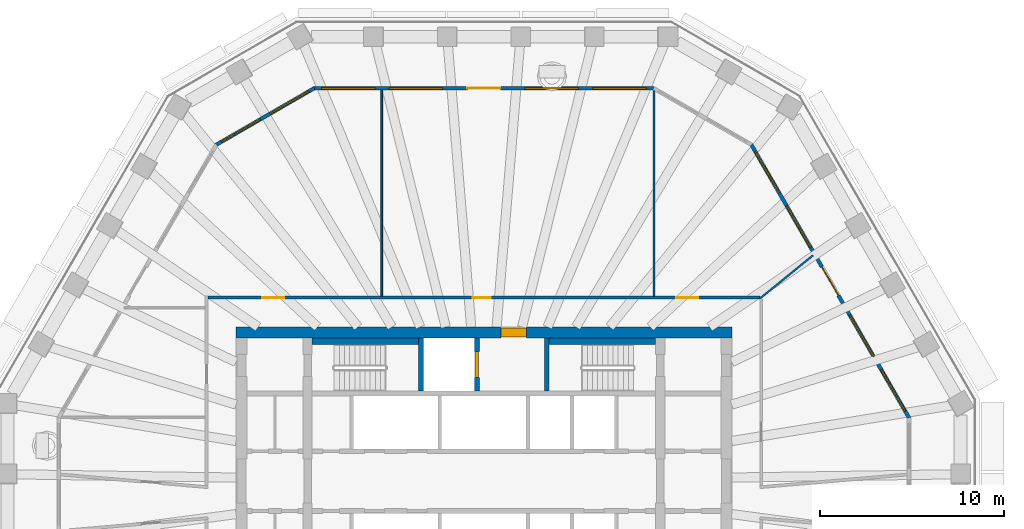
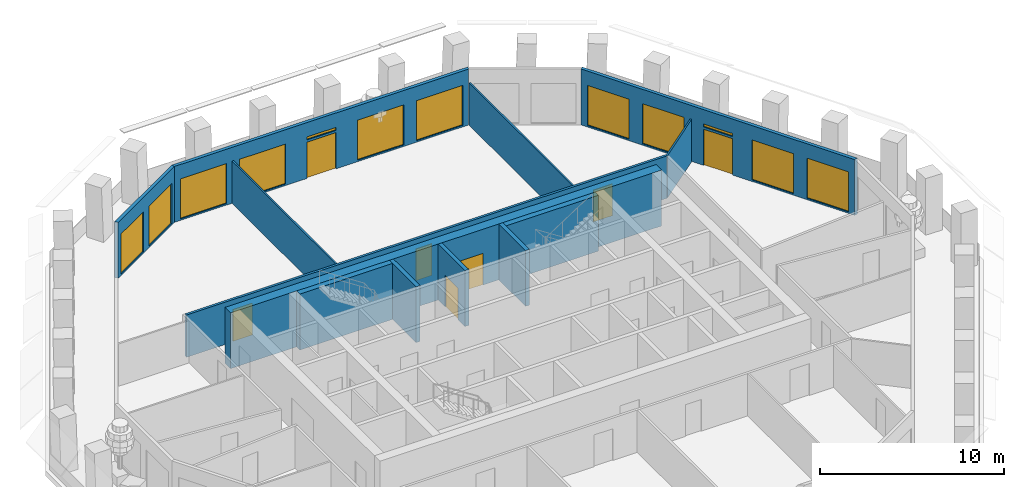
# One storey, part 7 of 12: 13 walls, 12 windows, 7 doors, 19 openings.
"""IFC4 building model written with IfcOpenShell, lengths in metres."""

import ifcopenshell
import ifcopenshell.guid

model = None  # the IFC model being written
_history = None  # IfcOwnerHistory: only IFC2X3 demands one
_inside = {}  # id of a spatial element -> (the spatial element, [elements in it])
_under = {}  # id of a project, library or spatial element -> (it, [spatial elements below it])
_declared = {}  # id of a project -> (the project, [libraries it declares])
_typed = {}  # id of a type object -> (the type object, [elements of that type])
_made_of = {}  # id of a material, layer set ... -> (it, [elements and type objects made of it])


def new_model(schema):
    """Start an empty IFC model of exactly this schema.

    Asked for "IFC4X3", IfcOpenShell would pick the latest addendum, in which some entities
    have other attributes; the version numbers below select the first issue.
    IFC2X3 requires an IfcOwnerHistory on every rooted entity: one is made here for all.
    """
    global model, _history
    if schema == "IFC4X3":
        model = ifcopenshell.file(schema_version=(4, 3, 0, 0))
    else:
        model = ifcopenshell.file(schema=schema)
    _inside.clear()
    _under.clear()
    _declared.clear()
    _typed.clear()
    _made_of.clear()
    _history = None
    if model.schema == "IFC2X3":
        org = make("IfcOrganization", Name="unknown")
        user = make(
            "IfcPersonAndOrganization",
            ThePerson=make("IfcPerson", FamilyName="unknown"),
            TheOrganization=org,
        )
        app = make(
            "IfcApplication",
            ApplicationDeveloper=org,
            Version="unknown",
            ApplicationFullName="unknown",
            ApplicationIdentifier="unknown",
        )
        _history = make(
            "IfcOwnerHistory",
            OwningUser=user,
            OwningApplication=app,
            ChangeAction="ADDED",
            CreationDate=0,
        )
    return model


def make(cls, **values):
    """One entity of the class cls with the attributes given. An attribute that is None is left unset."""
    return model.create_entity(
        cls, **{name: value for name, value in values.items() if value is not None}
    )


def rooted(cls, **values):
    """An entity with a GlobalId (a new one), such as an element, a storey or a relation."""
    return make(cls, GlobalId=ifcopenshell.guid.new(), OwnerHistory=_history, **values)


def si_unit(unit_type, name, prefix=None):
    """IfcSIUnit, for example si_unit("LENGTHUNIT", "METRE", prefix="MILLI")."""
    return make("IfcSIUnit", UnitType=unit_type, Prefix=prefix, Name=name)


def assignment(units):
    """IfcUnitAssignment: the units of a project."""
    return None if units is None else make("IfcUnitAssignment", Units=units)


def point(xyz):
    """IfcCartesianPoint."""
    return None if xyz is None else make("IfcCartesianPoint", Coordinates=xyz)


def direction(xyz):
    """IfcDirection."""
    return None if xyz is None else make("IfcDirection", DirectionRatios=xyz)


def frame(location, z_axis=None, x_axis=None):
    """IfcAxis2Placement3D, a coordinate frame: its origin and axes. An axis left out is left unset."""
    return make(
        "IfcAxis2Placement3D",
        Location=point(location),
        Axis=direction(z_axis),
        RefDirection=direction(x_axis),
    )


def frame_2d(location, x_axis=None):
    """IfcAxis2Placement2D, a coordinate frame in the plane: its origin and x axis."""
    return make(
        "IfcAxis2Placement2D", Location=point(location), RefDirection=direction(x_axis)
    )


def origin():
    """The frame at (0, 0, 0) with its axes left unset."""
    return frame((0.0, 0.0, 0.0))


def place(relative_to, where):
    """IfcLocalPlacement: puts the frame where relative to a parent placement (None: the world)."""
    return make(
        "IfcLocalPlacement", PlacementRelTo=relative_to, RelativePlacement=where
    )


def context(
    kind, dimensions, precision=None, world=None, true_north=None, identifier=None
):
    """IfcGeometricRepresentationContext, for example the 3D "Model" context."""
    return make(
        "IfcGeometricRepresentationContext",
        ContextIdentifier=identifier,
        ContextType=kind,
        CoordinateSpaceDimension=dimensions,
        Precision=precision,
        WorldCoordinateSystem=world,
        TrueNorth=true_north,
    )


def subcontext(parent, identifier, kind, view, scale=None):
    """IfcGeometricRepresentationSubContext, for example "Body" below "Model"."""
    return make(
        "IfcGeometricRepresentationSubContext",
        ContextIdentifier=identifier,
        ContextType=kind,
        ParentContext=parent,
        TargetScale=scale,
        TargetView=view,
    )


def project(units=None, contexts=None):
    """IfcProject with its units and contexts."""
    return rooted(
        "IfcProject",
        Name="project",
        RepresentationContexts=contexts,
        UnitsInContext=assignment(units),
    )


def spatial(cls, under=None, at=None, **own):
    """A site, building, storey or space (cls), placed at a placement, below another one or the project."""
    s = rooted(cls, ObjectPlacement=at, **own)
    if under is not None:
        _under.setdefault(under.id(), (under, []))[1].append(s)
    return s


def polyline(points):
    """IfcPolyline through the points."""
    return make("IfcPolyline", Points=[point(p) for p in points])


def profile(cls, at=None, kind="AREA", **sizes):
    """A parametric profile (cls). Its sizes go by their IFC names, for example OverallWidth=200.0."""
    return make(cls, ProfileType=kind, Position=at, **sizes)


def rectangle(**sizes):
    """IfcRectangleProfileDef."""
    return profile("IfcRectangleProfileDef", **sizes)


def outline(outer, holes=None, kind="AREA"):
    """IfcArbitraryClosedProfileDef: a profile drawn as a closed curve; with holes, ...WithVoids."""
    if holes is None:
        return make("IfcArbitraryClosedProfileDef", ProfileType=kind, OuterCurve=outer)
    return make(
        "IfcArbitraryProfileDefWithVoids",
        ProfileType=kind,
        OuterCurve=outer,
        InnerCurves=holes,
    )


def extrude(swept, where, along, depth):
    """IfcExtrudedAreaSolid: the profile swept, set in the frame where, extruded along a direction by depth."""
    return make(
        "IfcExtrudedAreaSolid",
        SweptArea=swept,
        Position=where,
        ExtrudedDirection=direction(along),
        Depth=depth,
    )


def shape(context_of_items, identifier, shape_type, items):
    """IfcShapeRepresentation: the items that make up one representation, for example the "Body"."""
    return make(
        "IfcShapeRepresentation",
        ContextOfItems=context_of_items,
        RepresentationIdentifier=identifier,
        RepresentationType=shape_type,
        Items=items,
    )


def material(Name=None, Category=None):
    """IfcMaterial."""
    return make("IfcMaterial", Name=Name, Category=Category)


def layer(
    of_material, thickness, ventilated=None, Name=None, Category=None, Priority=None
):
    """IfcMaterialLayer: one layer of a wall or slab, of a material (None: an air gap)."""
    return make(
        "IfcMaterialLayer",
        Material=of_material,
        LayerThickness=thickness,
        IsVentilated=ventilated,
        Name=Name,
        Category=Category,
        Priority=Priority,
    )


def layer_set(layers, Name=None):
    """IfcMaterialLayerSet."""
    return make("IfcMaterialLayerSet", MaterialLayers=layers, LayerSetName=Name)


def made_of(thing, what):
    """Note that an element or type object is made of a material, layer set ...; save() writes the relation."""
    if what is not None:
        _made_of.setdefault(what.id(), (what, []))[1].append(thing)
    return thing


def type_object(cls, material=None, **own):
    """A type object (cls), such as IfcWallType, which elements share."""
    return made_of(rooted(cls, **own), material)


def element(
    cls,
    number,
    at=None,
    inside=None,
    cuts=None,
    type_object=None,
    material=None,
    context=None,
    identifier="Body",
    shape_type=None,
    held_by="IfcProductDefinitionShape",
    body=None,
    shapes=None,
    **own,
):
    """One element of the class cls, such as IfcWall. Its Tag is "e" and its number.

    at: its placement. inside: the storey or other place that contains it. cuts: it is an
    opening in that element (IfcRelVoidsElement). A single representation is given by context,
    identifier, shape_type and body (its items); several are given by shapes. held_by: the class
    of the entity that holds the representations. save() writes the other relations.
    """
    e = rooted(cls, Tag="e%d" % number, ObjectPlacement=at, **own)
    if body is not None:
        shapes = [shape(context, identifier, shape_type, body)]
    if shapes is not None:
        e.Representation = make(held_by, Representations=shapes)
    if inside is not None:
        _inside.setdefault(inside.id(), (inside, []))[1].append(e)
    if cuts is not None:
        rooted(
            "IfcRelVoidsElement", RelatingBuildingElement=cuts, RelatedOpeningElement=e
        )
    if type_object is not None:
        _typed.setdefault(type_object.id(), (type_object, []))[1].append(e)
    return made_of(e, material)


def fill(opening, filler):
    """IfcRelFillsElement: the door or window that sits in an opening."""
    return rooted(
        "IfcRelFillsElement",
        RelatingOpeningElement=opening,
        RelatedBuildingElement=filler,
    )


def aggregate(whole, parts):
    """IfcRelAggregates: a whole, such as a stair, and the parts it consists of."""
    return rooted("IfcRelAggregates", RelatingObject=whole, RelatedObjects=parts)


def save(model, path):
    """Write the relations noted so far, then the file.

    IfcRelAggregates (storeys below a building ...), IfcRelContainedInSpatialStructure (elements
    in a storey), IfcRelDefinesByType, IfcRelAssociatesMaterial and IfcRelDeclares: one each for
    every whole, place, type object, material and project.
    """
    for whole, parts in _under.values():
        aggregate(whole, parts)
    for where, things in _inside.values():
        rooted(
            "IfcRelContainedInSpatialStructure",
            RelatedElements=things,
            RelatingStructure=where,
        )
    for kind, things in _typed.values():
        rooted("IfcRelDefinesByType", RelatedObjects=things, RelatingType=kind)
    for what, things in _made_of.values():
        rooted("IfcRelAssociatesMaterial", RelatedObjects=things, RelatingMaterial=what)
    for by, libraries in _declared.values():
        rooted("IfcRelDeclares", RelatingContext=by, RelatedDefinitions=libraries)
    model.write(path)


model = new_model("IFC4")

# Units and contexts
model_context = context("Model", 3, precision=1e-05, world=origin(), true_north=direction((0.0, 1.0)))
body_context = subcontext(model_context, "Body", "Model", "MODEL_VIEW")
ifc_project = project(units=[si_unit("LENGTHUNIT", "METRE"), si_unit("AREAUNIT", "SQUARE_METRE"), si_unit("VOLUMEUNIT", "CUBIC_METRE"), si_unit("PLANEANGLEUNIT", "RADIAN"), si_unit("MASSUNIT", "GRAM", prefix="KILO")], contexts=[model_context])

# Site, building, storey
site_placement = place(None, origin())
site = spatial("IfcSite", under=ifc_project, at=site_placement, CompositionType="ELEMENT")
building_placement = place(site_placement, origin())
building = spatial("IfcBuilding", under=site, at=building_placement, Name="Frailejon Research Tower", CompositionType="ELEMENT")
storey_placement = place(building_placement, frame((0.0, 0.0, 223.39990234375)))
storey = spatial("IfcBuildingStorey", under=building, at=storey_placement, Name="L48", CompositionType="ELEMENT", Elevation=223.39990234375)

# Wall, opening, door
ifc_material_1 = material(Name="Concrete C60/75", Category="concrete")
ifc_layer_1 = layer(ifc_material_1, 0.60009765625)
ifc_layer_set_1 = layer_set([ifc_layer_1], Name="Core shear wall 600 C60/75")
wall_type_1 = type_object("IfcWallType", Name="Core shear wall 600 C60/75", PredefinedType="SHEAR", material=ifc_layer_set_1)
wall_1_placement = place(storey_placement, frame((-13.5, 8.10009765625, 0.0), z_axis=(0.0, 0.0, 1.0), x_axis=(1.0, 0.0, 0.0)))
wall_1 = element("IfcWall", 1, at=wall_1_placement, inside=storey, type_object=wall_type_1, Name="Core shear wall", PredefinedType="SHEAR", context=body_context, shape_type="SweptSolid", body=[
    extrude(rectangle(XDim=27.0, YDim=0.60009765625, at=frame_2d((13.5, 0.0))), origin(), (0.0, 0.0, 1.0), 3.7001953125),
])
opening_1_placement = place(wall_1_placement, frame((14.425048828125, 0.0, 0.0)))
opening_1 = element("IfcOpeningElement", 2, at=opening_1_placement, cuts=wall_1, Name="Opening D9", PredefinedType="OPENING", context=body_context, shape_type="SweptSolid", body=[
    extrude(rectangle(XDim=1.39990234375, YDim=2.10009765625, at=frame_2d((0.699951171875, 1.050048828125))), frame((0.0, 0.31005859375, 0.0), z_axis=(0.0, -1.0, 0.0), x_axis=(1.0, 0.0, 0.0)), (0.0, 0.0, 1.0), 0.6201171875),
])
ifc_material_2 = material(Name="Steel", Category="steel")
door_type_1 = type_object("IfcDoorType", Name="Goods lobby door", OperationType="DOUBLE_DOOR_SINGLE_SWING", PredefinedType="DOOR", material=ifc_material_2)
door_1_placement = place(opening_1_placement, origin())
door_1 = element("IfcDoor", 3, at=door_1_placement, inside=storey, type_object=door_type_1, Name="Goods lobby door", OperationType="DOUBLE_DOOR_SINGLE_SWING", OverallHeight=2.10009765625, OverallWidth=1.39990234375, PredefinedType="DOOR", context=body_context, shape_type="SweptSolid", body=[
    extrude(rectangle(XDim=1.39990234375, YDim=2.10009765625, at=frame_2d((0.699951171875, 1.050048828125))), frame((0.0, 0.25, 0.0), z_axis=(0.0, -1.0, 0.0), x_axis=(1.0, 0.0, 0.0)), (0.0, 0.0, 1.0), 0.5),
])
fill(opening_1, door_1)

# Wall, openings, doors
ifc_material_3 = material(Name="Gypsum board and masonry partition", Category="masonry")
ifc_layer_2 = layer(ifc_material_3, 0.14990234375)
ifc_layer_set_2 = layer_set([ifc_layer_2], Name="Corridor wall EI 60, gypsum on steel studs 150")
wall_type_2 = type_object("IfcWallType", Name="Corridor wall EI 60, gypsum on steel studs 150", PredefinedType="PARTITIONING", material=ifc_layer_set_2)
wall_2_placement = place(storey_placement, frame((-15.02490234375, 10.0, 0.0), z_axis=(0.0, 0.0, 1.0), x_axis=(1.0, 0.0, 0.0)))
wall_2 = element("IfcWall", 4, at=wall_2_placement, inside=storey, type_object=wall_type_2, Name="T:IW:L48:003", PredefinedType="PARTITIONING", context=body_context, shape_type="SweptSolid", body=[
    extrude(rectangle(XDim=30.074951171875, YDim=0.14990234375, at=frame_2d((15.03759765625, 0.0))), origin(), (0.0, 0.0, 1.0), 2.800048828125),
])
opening_2_placement = place(wall_2_placement, frame((25.5087890625, 0.0, 0.0)))
opening_2 = element("IfcOpeningElement", 5, at=opening_2_placement, cuts=wall_2, Name="Opening D1977", PredefinedType="OPENING", context=body_context, shape_type="SweptSolid", body=[
    extrude(rectangle(XDim=1.199951171875, YDim=2.10009765625, at=frame_2d((0.60009765625, 1.050048828125))), frame((0.0, 0.0849609375, 0.0), z_axis=(0.0, -1.0, 0.0), x_axis=(1.0, 0.0, 0.0)), (0.0, 0.0, 1.0), 0.169921875),
])
opening_3_placement = place(wall_2_placement, frame((14.409423828125, 0.0, 0.0)))
opening_3 = element("IfcOpeningElement", 6, at=opening_3_placement, cuts=wall_2, Name="Opening D1978", PredefinedType="OPENING", context=body_context, shape_type="SweptSolid", body=[
    extrude(rectangle(XDim=1.0, YDim=2.10009765625, at=frame_2d((0.5, 1.050048828125))), frame((0.0, 0.0849609375, 0.0), z_axis=(0.0, -1.0, 0.0), x_axis=(1.0, 0.0, 0.0)), (0.0, 0.0, 1.0), 0.169921875),
])
opening_4_placement = place(wall_2_placement, frame((2.94921875, 0.0, 0.0)))
opening_4 = element("IfcOpeningElement", 7, at=opening_4_placement, cuts=wall_2, Name="Opening D1979", PredefinedType="OPENING", context=body_context, shape_type="SweptSolid", body=[
    extrude(rectangle(XDim=1.199951171875, YDim=2.10009765625, at=frame_2d((0.60009765625, 1.050048828125))), frame((0.0, 0.0849609375, 0.0), z_axis=(0.0, -1.0, 0.0), x_axis=(1.0, 0.0, 0.0)), (0.0, 0.0, 1.0), 0.169921875),
])
ifc_material_4 = material(Name="Timber door leaf", Category="wood")
door_type_2 = type_object("IfcDoorType", Name="Door single leaf, timber, steel frame 1000", OperationType="NOTDEFINED", PredefinedType="DOOR", material=ifc_material_4)
door_2_placement = place(opening_3_placement, origin())
door_2 = element("IfcDoor", 8, at=door_2_placement, inside=storey, type_object=door_type_2, Name="D1978", OperationType="SINGLE_SWING_LEFT", OverallHeight=2.10009765625, OverallWidth=1.0, PredefinedType="DOOR", context=body_context, shape_type="SweptSolid", body=[
    extrude(rectangle(XDim=1.0, YDim=2.10009765625, at=frame_2d((0.5, 1.050048828125))), frame((0.0, 0.02490234375, 0.0), z_axis=(0.0, -1.0, 0.0), x_axis=(1.0, 0.0, 0.0)), (0.0, 0.0, 1.0), 0.050048828125),
])
fill(opening_3, door_2)
ifc_material_5 = material(Name="Timber door leaf", Category="wood")
door_type_3 = type_object("IfcDoorType", Name="Door single leaf, timber, steel frame 1200", OperationType="NOTDEFINED", PredefinedType="DOOR", material=ifc_material_5)
door_3_placement = place(opening_2_placement, origin())
door_3 = element("IfcDoor", 9, at=door_3_placement, inside=storey, type_object=door_type_3, Name="D1977", OperationType="DOUBLE_DOOR_SINGLE_SWING", OverallHeight=2.10009765625, OverallWidth=1.199951171875, PredefinedType="DOOR", context=body_context, shape_type="SweptSolid", body=[
    extrude(rectangle(XDim=1.199951171875, YDim=2.10009765625, at=frame_2d((0.60009765625, 1.050048828125))), frame((0.0, 0.02490234375, 0.0), z_axis=(0.0, -1.0, 0.0), x_axis=(1.0, 0.0, 0.0)), (0.0, 0.0, 1.0), 0.050048828125),
])
fill(opening_2, door_3)
door_4_placement = place(opening_4_placement, origin())
door_4 = element("IfcDoor", 10, at=door_4_placement, inside=storey, type_object=door_type_3, Name="D1979", OperationType="DOUBLE_DOOR_SINGLE_SWING", OverallHeight=2.10009765625, OverallWidth=1.199951171875, PredefinedType="DOOR", context=body_context, shape_type="SweptSolid", body=[
    extrude(rectangle(XDim=1.199951171875, YDim=2.10009765625, at=frame_2d((0.60009765625, 1.050048828125))), frame((0.0, 0.02490234375, 0.0), z_axis=(0.0, -1.0, 0.0), x_axis=(1.0, 0.0, 0.0)), (0.0, 0.0, 1.0), 0.050048828125),
])
fill(opening_4, door_4)

# Walls
ifc_material_6 = material(Name="Gypsum board and masonry partition", Category="masonry")
ifc_layer_3 = layer(ifc_material_6, 0.10009765625)
ifc_layer_set_3 = layer_set([ifc_layer_3], Name="Partition, gypsum on steel studs 100")
wall_type_3 = type_object("IfcWallType", Name="Partition, gypsum on steel studs 100", PredefinedType="PARTITIONING", material=ifc_layer_set_3)
wall_3_placement = place(storey_placement, frame((15.041748046875, 9.95263671875, 0.0), z_axis=(0.0, 0.0, 1.0), x_axis=(0.775489545391, 0.631360408158, 0.0)))
element("IfcWall", 11, at=wall_3_placement, inside=storey, type_object=wall_type_3, Name="T:IW:L48:013", PredefinedType="PARTITIONING", context=body_context, shape_type="SweptSolid", body=[
    extrude(rectangle(XDim=3.721435546875, YDim=0.10009765625, at=frame_2d((1.86083984375, 0.0))), origin(), (0.0, 0.0, 1.0), 2.800048828125),
])
wall_4_placement = place(storey_placement, frame((9.26513671875, 10.074951171875, 0.0), z_axis=(0.0, 0.0, 1.0), x_axis=(0.0, 1.0, 0.0)))
element("IfcWall", 12, at=wall_4_placement, inside=storey, type_object=wall_type_3, Name="T:IW:L48:014", PredefinedType="PARTITIONING", context=body_context, shape_type="SweptSolid", body=[
    extrude(rectangle(XDim=11.194091796875, YDim=0.10009765625, at=frame_2d((5.59716796875, 0.0))), origin(), (0.0, 0.0, 1.0), 2.800048828125),
])
wall_5_placement = place(storey_placement, frame((-5.55908203125, 10.074951171875, 0.0), z_axis=(0.0, 0.0, 1.0), x_axis=(0.0, 1.0, 0.0)))
element("IfcWall", 13, at=wall_5_placement, inside=storey, type_object=wall_type_3, Name="T:IW:L48:015", PredefinedType="PARTITIONING", context=body_context, shape_type="SweptSolid", body=[
    extrude(rectangle(XDim=11.22509765625, YDim=0.10009765625, at=frame_2d((5.612548828125, 0.0))), origin(), (0.0, 0.0, 1.0), 2.800048828125),
])
ifc_material_7 = material(Name="Concrete C60/75", Category="concrete")
ifc_layer_4 = layer(ifc_material_7, 0.25)
ifc_layer_set_4 = layer_set([ifc_layer_4], Name="Shaft wall 250 C60/75")
wall_type_4 = type_object("IfcWallType", Name="Shaft wall 250 C60/75", PredefinedType="SOLIDWALL", material=ifc_layer_set_4)
wall_6_placement = place(storey_placement, frame((-3.425048828125, 4.89990234375, 0.0), z_axis=(0.0, 0.0, 1.0), x_axis=(0.0, 1.0, 0.0)))
element("IfcWall", 14, at=wall_6_placement, inside=storey, type_object=wall_type_4, Name="Shaft wall", PredefinedType="SOLIDWALL", context=body_context, shape_type="SweptSolid", body=[
    extrude(rectangle(XDim=2.900146484375, YDim=0.25, at=frame_2d((1.4501953125, 0.0))), origin(), (0.0, 0.0, 1.0), 3.7001953125),
])

# Wall, opening, door
wall_7_placement = place(storey_placement, frame((-0.375, 4.89990234375, 0.0), z_axis=(0.0, 0.0, 1.0), x_axis=(0.0, 1.0, 0.0)))
wall_7 = element("IfcWall", 15, at=wall_7_placement, inside=storey, type_object=wall_type_4, Name="Shaft wall", PredefinedType="SOLIDWALL", context=body_context, shape_type="SweptSolid", body=[
    extrude(rectangle(XDim=2.900146484375, YDim=0.25, at=frame_2d((1.4501953125, 0.0))), origin(), (0.0, 0.0, 1.0), 3.7001953125),
])
opening_5_placement = place(wall_7_placement, frame((0.75, 0.0, 0.0)))
opening_5 = element("IfcOpeningElement", 16, at=opening_5_placement, cuts=wall_7, Name="Opening LD2", PredefinedType="OPENING", context=body_context, shape_type="SweptSolid", body=[
    extrude(rectangle(XDim=1.39990234375, YDim=2.10009765625, at=frame_2d((0.699951171875, 1.050048828125))), frame((0.0, 0.135009765625, 0.0), z_axis=(0.0, -1.0, 0.0), x_axis=(1.0, 0.0, 0.0)), (0.0, 0.0, 1.0), 0.27001953125),
])
ifc_material_8 = material(Name="Stainless steel", Category="steel")
door_type_4 = type_object("IfcDoorType", Name="Goods landing door", OperationType="DOUBLE_DOOR_SLIDING", PredefinedType="DOOR", material=ifc_material_8)
door_5_placement = place(opening_5_placement, origin())
door_5 = element("IfcDoor", 17, at=door_5_placement, inside=storey, type_object=door_type_4, Name="Lift landing door", OperationType="DOUBLE_DOOR_SLIDING", OverallHeight=2.10009765625, OverallWidth=1.39990234375, PredefinedType="DOOR", context=body_context, shape_type="SweptSolid", body=[
    extrude(rectangle(XDim=1.39990234375, YDim=2.10009765625, at=frame_2d((0.699951171875, 1.050048828125))), frame((0.0, 0.074951171875, 0.0), z_axis=(0.0, -1.0, 0.0), x_axis=(1.0, 0.0, 0.0)), (0.0, 0.0, 1.0), 0.14990234375),
])
fill(opening_5, door_5)

# Walls
wall_8_placement = place(storey_placement, frame((3.425048828125, 4.89990234375, 0.0), z_axis=(0.0, 0.0, 1.0), x_axis=(0.0, 1.0, 0.0)))
element("IfcWall", 18, at=wall_8_placement, inside=storey, type_object=wall_type_4, Name="Shaft wall", PredefinedType="SOLIDWALL", context=body_context, shape_type="SweptSolid", body=[
    extrude(rectangle(XDim=2.900146484375, YDim=0.25, at=frame_2d((1.4501953125, 0.0))), origin(), (0.0, 0.0, 1.0), 3.7001953125),
])
ifc_material_9 = material(Name="Concrete C60/75", Category="concrete")
ifc_layer_5 = layer(ifc_material_9, 0.35009765625)
ifc_layer_set_5 = layer_set([ifc_layer_5], Name="Shaft wall 350 C60/75")
wall_type_5 = type_object("IfcWallType", Name="Shaft wall 350 C60/75", PredefinedType="SOLIDWALL", material=ifc_layer_set_5)
for number, where, z_axis, x_axis, name in (
    (19, (-9.35009765625, 7.625, 0.0), (0.0, 0.0, 1.0), (1.0, 0.0, 0.0), "Shaft wall"),
    (20, (3.550048828125, 7.625, 0.0), (0.0, 0.0, 1.0), (1.0, 0.0, 0.0), "Shaft wall"),
):
    element("IfcWall", number, at=place(storey_placement, frame(where, z_axis=z_axis, x_axis=x_axis)), inside=storey, type_object=wall_type_5, Name=name, PredefinedType="SOLIDWALL", context=body_context, shape_type="SweptSolid", body=[
        extrude(rectangle(XDim=5.800048828125, YDim=0.35009765625, at=frame_2d((2.89990234375, 0.0))), origin(), (0.0, 0.0, 1.0), 3.7001953125),
    ])

# Wall, openings, door, windows
ifc_material_10 = material(Name="Concrete C40/50 precast window wall panel", Category="concrete")
ifc_layer_6 = layer(ifc_material_10, 0.199951171875)
ifc_layer_set_6 = layer_set([ifc_layer_6], Name="Window wall 200")
wall_type_6 = type_object("IfcWallType", Name="Window wall 200", PredefinedType="SOLIDWALL", material=ifc_layer_set_6)
wall_9_placement = place(storey_placement, frame((23.152099609375, 3.45361328125, 0.0), z_axis=(0.0, 0.0, 1.0), x_axis=(-0.5000034888, 0.866023389516, 0.0)))
wall_9 = element("IfcWall", 21, at=wall_9_placement, inside=storey, type_object=wall_type_6, Name="Exterior wall L48", PredefinedType="SOLIDWALL", context=body_context, shape_type="SweptSolid", body=[
    extrude(outline(polyline([(-0.02685546875, -0.10009765625), (0.986328125, -0.10009765625), (1.99951171875, -0.10009765625), (3.0126953125, -0.10009765625), (4.02587890625, -0.10009765625), (5.0390625, -0.10009765625), (6.05224609375, -0.10009765625), (7.0654296875, -0.10009765625), (8.07861328125, -0.10009765625), (9.091796875, -0.10009765625), (10.10498046875, -0.10009765625), (11.1181640625, -0.10009765625), (12.13134765625, -0.10009765625), (13.14453125, -0.10009765625), (14.15771484375, -0.10009765625), (15.1708984375, -0.10009765625), (16.18408203125, -0.10009765625), (17.197265625, -0.10009765625), (17.1435546875, 0.10009765625), (16.13671875, 0.10009765625), (15.1298828125, 0.10009765625), (14.123046875, 0.10009765625), (13.1162109375, 0.10009765625), (12.109130859375, 0.10009765625), (11.102294921875, 0.10009765625), (10.095458984375, 0.10009765625), (9.088623046875, 0.10009765625), (8.081787109375, 0.10009765625), (7.074951171875, 0.10009765625), (6.068115234375, 0.10009765625), (5.061279296875, 0.10009765625), (4.05419921875, 0.10009765625), (3.04736328125, 0.10009765625), (2.04052734375, 0.10009765625), (1.03369140625, 0.10009765625), (0.02685546875, 0.10009765625), (-0.02685546875, -0.10009765625)])), origin(), (0.0, 0.0, 1.0), 3.7001953125),
])
opening_6_placement = place(wall_9_placement, frame((0.4169921875, 0.0, 0.10009765625)))
opening_6 = element("IfcOpeningElement", 22, at=opening_6_placement, cuts=wall_9, Name="Opening W18", PredefinedType="OPENING", context=body_context, shape_type="SweptSolid", body=[
    extrude(rectangle(XDim=2.60009765625, YDim=2.64990234375, at=frame_2d((1.300048828125, 1.324951171875))), frame((0.0, 0.10986328125, 0.0), z_axis=(0.0, -1.0, 0.0), x_axis=(1.0, 0.0, 0.0)), (0.0, 0.0, 1.0), 0.219970703125),
])
opening_7_placement = place(wall_9_placement, frame((3.85107421875, 0.0, 0.10009765625)))
opening_7 = element("IfcOpeningElement", 23, at=opening_7_placement, cuts=wall_9, Name="Opening W18", PredefinedType="OPENING", context=body_context, shape_type="SweptSolid", body=[
    extrude(rectangle(XDim=2.60009765625, YDim=2.64990234375, at=frame_2d((1.300048828125, 1.324951171875))), frame((0.0, 0.10986328125, 0.0), z_axis=(0.0, -1.0, 0.0), x_axis=(1.0, 0.0, 0.0)), (0.0, 0.0, 1.0), 0.219970703125),
])
opening_8_placement = place(wall_9_placement, frame((7.685302734375, 0.0, 0.0)))
opening_8 = element("IfcOpeningElement", 24, at=opening_8_placement, cuts=wall_9, Name="Opening LG48-1", PredefinedType="OPENING", context=body_context, shape_type="SweptSolid", body=[
    extrude(rectangle(XDim=1.800048828125, YDim=2.39990234375, at=frame_2d((0.89990234375, 1.199951171875))), frame((0.0, 0.10986328125, 0.0), z_axis=(0.0, -1.0, 0.0), x_axis=(1.0, 0.0, 0.0)), (0.0, 0.0, 1.0), 0.219970703125),
])
opening_9_placement = place(wall_9_placement, frame((7.685302734375, 0.0, 2.550048828125)))
opening_9 = element("IfcOpeningElement", 25, at=opening_9_placement, cuts=wall_9, Name="Opening W19", PredefinedType="OPENING", context=body_context, shape_type="SweptSolid", body=[
    extrude(rectangle(XDim=1.800048828125, YDim=0.199951171875, at=frame_2d((0.89990234375, 0.10009765625))), frame((0.0, 0.10986328125, 0.0), z_axis=(0.0, -1.0, 0.0), x_axis=(1.0, 0.0, 0.0)), (0.0, 0.0, 1.0), 0.219970703125),
])
opening_10_placement = place(wall_9_placement, frame((10.71923828125, 0.0, 0.10009765625)))
opening_10 = element("IfcOpeningElement", 26, at=opening_10_placement, cuts=wall_9, Name="Opening W18", PredefinedType="OPENING", context=body_context, shape_type="SweptSolid", body=[
    extrude(rectangle(XDim=2.60009765625, YDim=2.64990234375, at=frame_2d((1.300048828125, 1.324951171875))), frame((0.0, 0.10986328125, 0.0), z_axis=(0.0, -1.0, 0.0), x_axis=(1.0, 0.0, 0.0)), (0.0, 0.0, 1.0), 0.219970703125),
])
opening_11_placement = place(wall_9_placement, frame((14.1533203125, 0.0, 0.10009765625)))
opening_11 = element("IfcOpeningElement", 27, at=opening_11_placement, cuts=wall_9, Name="Opening W18", PredefinedType="OPENING", context=body_context, shape_type="SweptSolid", body=[
    extrude(rectangle(XDim=2.60009765625, YDim=2.64990234375, at=frame_2d((1.300048828125, 1.324951171875))), frame((0.0, 0.10986328125, 0.0), z_axis=(0.0, -1.0, 0.0), x_axis=(1.0, 0.0, 0.0)), (0.0, 0.0, 1.0), 0.219970703125),
])
ifc_material_11 = material(Name="Aluminium framed glazed door leaf", Category="aluminium")
door_type_5 = type_object("IfcDoorType", Name="Loggia door 1800x2400", OperationType="DOUBLE_DOOR_SINGLE_SWING", PredefinedType="DOOR", material=ifc_material_11)
door_6_placement = place(opening_8_placement, origin())
door_6 = element("IfcDoor", 28, at=door_6_placement, inside=storey, type_object=door_type_5, Name="Door LG48-1", OperationType="DOUBLE_DOOR_SINGLE_SWING", OverallHeight=2.39990234375, OverallWidth=1.800048828125, PredefinedType="DOOR", context=body_context, shape_type="SweptSolid", body=[
    extrude(rectangle(XDim=1.800048828125, YDim=2.39990234375, at=frame_2d((0.89990234375, 1.199951171875))), frame((0.0, 0.02490234375, 0.0), z_axis=(0.0, -1.0, 0.0), x_axis=(1.0, 0.0, 0.0)), (0.0, 0.0, 1.0), 0.050048828125),
])
fill(opening_8, door_6)
ifc_material_12 = material(Name="Aluminium framed double glazing", Category="aluminium")
window_type_1 = type_object("IfcWindowType", Name="Window 1800x200", PartitioningType="SINGLE_PANEL", PredefinedType="WINDOW", material=ifc_material_12)
window_1_placement = place(opening_9_placement, origin())
window_1 = element("IfcWindow", 29, at=window_1_placement, inside=storey, type_object=window_type_1, Name="Window L48", OverallHeight=0.199951171875, OverallWidth=1.800048828125, PartitioningType="SINGLE_PANEL", PredefinedType="WINDOW", context=body_context, shape_type="SweptSolid", body=[
    extrude(rectangle(XDim=1.800048828125, YDim=0.199951171875, at=frame_2d((0.89990234375, 0.10009765625))), frame((0.0, 0.030029296875, 0.0), z_axis=(0.0, -1.0, 0.0), x_axis=(1.0, 0.0, 0.0)), (0.0, 0.0, 1.0), 0.06005859375),
])
fill(opening_9, window_1)
ifc_material_13 = material(Name="Aluminium framed double glazing", Category="aluminium")
window_type_2 = type_object("IfcWindowType", Name="Window 2600x2650", PartitioningType="SINGLE_PANEL", PredefinedType="WINDOW", material=ifc_material_13)
window_2_placement = place(opening_6_placement, origin())
window_2 = element("IfcWindow", 30, at=window_2_placement, inside=storey, type_object=window_type_2, Name="Window L48", OverallHeight=2.64990234375, OverallWidth=2.60009765625, PartitioningType="SINGLE_PANEL", PredefinedType="WINDOW", context=body_context, shape_type="SweptSolid", body=[
    extrude(rectangle(XDim=2.60009765625, YDim=2.64990234375, at=frame_2d((1.300048828125, 1.324951171875))), frame((0.0, 0.030029296875, 0.0), z_axis=(0.0, -1.0, 0.0), x_axis=(1.0, 0.0, 0.0)), (0.0, 0.0, 1.0), 0.06005859375),
])
fill(opening_6, window_2)
window_3_placement = place(opening_7_placement, origin())
window_3 = element("IfcWindow", 31, at=window_3_placement, inside=storey, type_object=window_type_2, Name="Window L48", OverallHeight=2.64990234375, OverallWidth=2.60009765625, PartitioningType="SINGLE_PANEL", PredefinedType="WINDOW", context=body_context, shape_type="SweptSolid", body=[
    extrude(rectangle(XDim=2.60009765625, YDim=2.64990234375, at=frame_2d((1.300048828125, 1.324951171875))), frame((0.0, 0.030029296875, 0.0), z_axis=(0.0, -1.0, 0.0), x_axis=(1.0, 0.0, 0.0)), (0.0, 0.0, 1.0), 0.06005859375),
])
fill(opening_7, window_3)
window_4_placement = place(opening_10_placement, origin())
window_4 = element("IfcWindow", 32, at=window_4_placement, inside=storey, type_object=window_type_2, Name="Window L48", OverallHeight=2.64990234375, OverallWidth=2.60009765625, PartitioningType="SINGLE_PANEL", PredefinedType="WINDOW", context=body_context, shape_type="SweptSolid", body=[
    extrude(rectangle(XDim=2.60009765625, YDim=2.64990234375, at=frame_2d((1.300048828125, 1.324951171875))), frame((0.0, 0.030029296875, 0.0), z_axis=(0.0, -1.0, 0.0), x_axis=(1.0, 0.0, 0.0)), (0.0, 0.0, 1.0), 0.06005859375),
])
fill(opening_10, window_4)
window_5_placement = place(opening_11_placement, origin())
window_5 = element("IfcWindow", 33, at=window_5_placement, inside=storey, type_object=window_type_2, Name="Window L48", OverallHeight=2.64990234375, OverallWidth=2.60009765625, PartitioningType="SINGLE_PANEL", PredefinedType="WINDOW", context=body_context, shape_type="SweptSolid", body=[
    extrude(rectangle(XDim=2.60009765625, YDim=2.64990234375, at=frame_2d((1.300048828125, 1.324951171875))), frame((0.0, 0.030029296875, 0.0), z_axis=(0.0, -1.0, 0.0), x_axis=(1.0, 0.0, 0.0)), (0.0, 0.0, 1.0), 0.06005859375),
])
fill(opening_11, window_5)

wall_10_placement = place(storey_placement, frame((9.23828125, 21.39990234375, 0.0), z_axis=(0.0, 0.0, 1.0), x_axis=(-1.0, 0.0, 0.0)))
wall_10 = element("IfcWall", 34, at=wall_10_placement, inside=storey, type_object=wall_type_6, Name="Exterior wall L48", PredefinedType="SOLIDWALL", context=body_context, shape_type="SweptSolid", body=[
    extrude(outline(polyline([(-0.02685546875, -0.10009765625), (1.002685546875, -0.10009765625), (2.031982421875, -0.10009765625), (3.0615234375, -0.10009765625), (4.091064453125, -0.10009765625), (5.120361328125, -0.10009765625), (6.14990234375, -0.10009765625), (7.179443359375, -0.10009765625), (8.208740234375, -0.10009765625), (9.23828125, -0.10009765625), (10.267822265625, -0.10009765625), (11.297119140625, -0.10009765625), (12.32666015625, -0.10009765625), (13.356201171875, -0.10009765625), (14.385498046875, -0.10009765625), (15.4150390625, -0.10009765625), (16.444580078125, -0.10009765625), (17.473876953125, -0.10009765625), (18.50341796875, -0.10009765625), (18.44970703125, 0.10009765625), (17.42626953125, 0.10009765625), (16.40283203125, 0.10009765625), (15.379150390625, 0.10009765625), (14.355712890625, 0.10009765625), (13.332275390625, 0.10009765625), (12.308837890625, 0.10009765625), (11.28515625, 0.10009765625), (10.26171875, 0.10009765625), (9.23828125, 0.10009765625), (8.21484375, 0.10009765625), (7.19140625, 0.10009765625), (6.167724609375, 0.10009765625), (5.144287109375, 0.10009765625), (4.120849609375, 0.10009765625), (3.097412109375, 0.10009765625), (2.07373046875, 0.10009765625), (1.05029296875, 0.10009765625), (0.02685546875, 0.10009765625), (-0.02685546875, -0.10009765625)])), origin(), (0.0, 0.0, 1.0), 3.7001953125),
])
opening_12_placement = place(wall_10_placement, frame((0.397705078125, 0.0, 0.10009765625)))
opening_12 = element("IfcOpeningElement", 35, at=opening_12_placement, cuts=wall_10, Name="Opening W20", PredefinedType="OPENING", context=body_context, shape_type="SweptSolid", body=[
    extrude(rectangle(XDim=2.89990234375, YDim=2.64990234375, at=frame_2d((1.449951171875, 1.324951171875))), frame((0.0, 0.10986328125, 0.0), z_axis=(0.0, -1.0, 0.0), x_axis=(1.0, 0.0, 0.0)), (0.0, 0.0, 1.0), 0.219970703125),
])
opening_13_placement = place(wall_10_placement, frame((4.093017578125, 0.0, 0.10009765625)))
opening_13 = element("IfcOpeningElement", 36, at=opening_13_placement, cuts=wall_10, Name="Opening W20", PredefinedType="OPENING", context=body_context, shape_type="SweptSolid", body=[
    extrude(rectangle(XDim=2.89990234375, YDim=2.64990234375, at=frame_2d((1.449951171875, 1.324951171875))), frame((0.0, 0.10986328125, 0.0), z_axis=(0.0, -1.0, 0.0), x_axis=(1.0, 0.0, 0.0)), (0.0, 0.0, 1.0), 0.219970703125),
])
opening_14_placement = place(wall_10_placement, frame((8.33837890625, 0.0, 0.0)))
opening_14 = element("IfcOpeningElement", 37, at=opening_14_placement, cuts=wall_10, Name="Opening LG48-2", PredefinedType="OPENING", context=body_context, shape_type="SweptSolid", body=[
    extrude(rectangle(XDim=1.800048828125, YDim=2.39990234375, at=frame_2d((0.89990234375, 1.199951171875))), frame((0.0, 0.10986328125, 0.0), z_axis=(0.0, -1.0, 0.0), x_axis=(1.0, 0.0, 0.0)), (0.0, 0.0, 1.0), 0.219970703125),
])
opening_15_placement = place(wall_10_placement, frame((8.33837890625, 0.0, 2.550048828125)))
opening_15 = element("IfcOpeningElement", 38, at=opening_15_placement, cuts=wall_10, Name="Opening W19", PredefinedType="OPENING", context=body_context, shape_type="SweptSolid", body=[
    extrude(rectangle(XDim=1.800048828125, YDim=0.199951171875, at=frame_2d((0.89990234375, 0.10009765625))), frame((0.0, 0.10986328125, 0.0), z_axis=(0.0, -1.0, 0.0), x_axis=(1.0, 0.0, 0.0)), (0.0, 0.0, 1.0), 0.219970703125),
])
opening_16_placement = place(wall_10_placement, frame((11.483642578125, 0.0, 0.10009765625)))
opening_16 = element("IfcOpeningElement", 39, at=opening_16_placement, cuts=wall_10, Name="Opening W20", PredefinedType="OPENING", context=body_context, shape_type="SweptSolid", body=[
    extrude(rectangle(XDim=2.89990234375, YDim=2.64990234375, at=frame_2d((1.449951171875, 1.324951171875))), frame((0.0, 0.10986328125, 0.0), z_axis=(0.0, -1.0, 0.0), x_axis=(1.0, 0.0, 0.0)), (0.0, 0.0, 1.0), 0.219970703125),
])
opening_17_placement = place(wall_10_placement, frame((15.178955078125, 0.0, 0.10009765625)))
opening_17 = element("IfcOpeningElement", 40, at=opening_17_placement, cuts=wall_10, Name="Opening W20", PredefinedType="OPENING", context=body_context, shape_type="SweptSolid", body=[
    extrude(rectangle(XDim=2.89990234375, YDim=2.64990234375, at=frame_2d((1.449951171875, 1.324951171875))), frame((0.0, 0.10986328125, 0.0), z_axis=(0.0, -1.0, 0.0), x_axis=(1.0, 0.0, 0.0)), (0.0, 0.0, 1.0), 0.219970703125),
])
door_7_placement = place(opening_14_placement, origin())
door_7 = element("IfcDoor", 41, at=door_7_placement, inside=storey, type_object=door_type_5, Name="Door LG48-2", OperationType="DOUBLE_DOOR_SINGLE_SWING", OverallHeight=2.39990234375, OverallWidth=1.800048828125, PredefinedType="DOOR", context=body_context, shape_type="SweptSolid", body=[
    extrude(rectangle(XDim=1.800048828125, YDim=2.39990234375, at=frame_2d((0.89990234375, 1.199951171875))), frame((0.0, 0.02490234375, 0.0), z_axis=(0.0, -1.0, 0.0), x_axis=(1.0, 0.0, 0.0)), (0.0, 0.0, 1.0), 0.050048828125),
])
fill(opening_14, door_7)
window_6_placement = place(opening_15_placement, origin())
window_6 = element("IfcWindow", 42, at=window_6_placement, inside=storey, type_object=window_type_1, Name="Window L48", OverallHeight=0.199951171875, OverallWidth=1.800048828125, PartitioningType="SINGLE_PANEL", PredefinedType="WINDOW", context=body_context, shape_type="SweptSolid", body=[
    extrude(rectangle(XDim=1.800048828125, YDim=0.199951171875, at=frame_2d((0.89990234375, 0.10009765625))), frame((0.0, 0.030029296875, 0.0), z_axis=(0.0, -1.0, 0.0), x_axis=(1.0, 0.0, 0.0)), (0.0, 0.0, 1.0), 0.06005859375),
])
fill(opening_15, window_6)
ifc_material_14 = material(Name="Aluminium framed double glazing", Category="aluminium")
window_type_3 = type_object("IfcWindowType", Name="Window 2900x2650", PartitioningType="SINGLE_PANEL", PredefinedType="WINDOW", material=ifc_material_14)
window_7_placement = place(opening_12_placement, origin())
window_7 = element("IfcWindow", 43, at=window_7_placement, inside=storey, type_object=window_type_3, Name="Window L48", OverallHeight=2.64990234375, OverallWidth=2.89990234375, PartitioningType="SINGLE_PANEL", PredefinedType="WINDOW", context=body_context, shape_type="SweptSolid", body=[
    extrude(rectangle(XDim=2.89990234375, YDim=2.64990234375, at=frame_2d((1.449951171875, 1.324951171875))), frame((0.0, 0.030029296875, 0.0), z_axis=(0.0, -1.0, 0.0), x_axis=(1.0, 0.0, 0.0)), (0.0, 0.0, 1.0), 0.06005859375),
])
fill(opening_12, window_7)
window_8_placement = place(opening_13_placement, origin())
window_8 = element("IfcWindow", 44, at=window_8_placement, inside=storey, type_object=window_type_3, Name="Window L48", OverallHeight=2.64990234375, OverallWidth=2.89990234375, PartitioningType="SINGLE_PANEL", PredefinedType="WINDOW", context=body_context, shape_type="SweptSolid", body=[
    extrude(rectangle(XDim=2.89990234375, YDim=2.64990234375, at=frame_2d((1.449951171875, 1.324951171875))), frame((0.0, 0.030029296875, 0.0), z_axis=(0.0, -1.0, 0.0), x_axis=(1.0, 0.0, 0.0)), (0.0, 0.0, 1.0), 0.06005859375),
])
fill(opening_13, window_8)
window_9_placement = place(opening_16_placement, origin())
window_9 = element("IfcWindow", 45, at=window_9_placement, inside=storey, type_object=window_type_3, Name="Window L48", OverallHeight=2.64990234375, OverallWidth=2.89990234375, PartitioningType="SINGLE_PANEL", PredefinedType="WINDOW", context=body_context, shape_type="SweptSolid", body=[
    extrude(rectangle(XDim=2.89990234375, YDim=2.64990234375, at=frame_2d((1.449951171875, 1.324951171875))), frame((0.0, 0.030029296875, 0.0), z_axis=(0.0, -1.0, 0.0), x_axis=(1.0, 0.0, 0.0)), (0.0, 0.0, 1.0), 0.06005859375),
])
fill(opening_16, window_9)
window_10_placement = place(opening_17_placement, origin())
window_10 = element("IfcWindow", 46, at=window_10_placement, inside=storey, type_object=window_type_3, Name="Window L48", OverallHeight=2.64990234375, OverallWidth=2.89990234375, PartitioningType="SINGLE_PANEL", PredefinedType="WINDOW", context=body_context, shape_type="SweptSolid", body=[
    extrude(rectangle(XDim=2.89990234375, YDim=2.64990234375, at=frame_2d((1.449951171875, 1.324951171875))), frame((0.0, 0.030029296875, 0.0), z_axis=(0.0, -1.0, 0.0), x_axis=(1.0, 0.0, 0.0)), (0.0, 0.0, 1.0), 0.06005859375),
])
fill(opening_17, window_10)

# Wall, openings, windows
wall_11_placement = place(storey_placement, frame((-9.23828125, 21.39990234375, 0.0), z_axis=(0.0, 0.0, 1.0), x_axis=(-0.866029647142, -0.499992650217, 0.0)))
wall_11 = element("IfcWall", 47, at=wall_11_placement, inside=storey, type_object=wall_type_6, Name="Exterior wall L48", PredefinedType="SOLIDWALL", context=body_context, shape_type="SweptSolid", body=[
    extrude(outline(polyline([(-0.02685546875, -0.10009765625), (1.007568359375, -0.10009765625), (2.0419921875, -0.10009765625), (3.076416015625, -0.10009765625), (4.11083984375, -0.10009765625), (5.145263671875, -0.10009765625), (6.1796875, -0.10009765625), (6.1259765625, 0.10009765625), (5.109375, 0.10009765625), (4.093017578125, 0.10009765625), (3.076416015625, 0.10009765625), (2.059814453125, 0.10009765625), (1.04345703125, 0.10009765625), (0.02685546875, 0.10009765625), (-0.02685546875, -0.10009765625)])), origin(), (0.0, 0.0, 1.0), 3.7001953125),
])
opening_18_placement = place(wall_11_placement, frame((0.313232421875, 0.0, 0.10009765625)))
opening_18 = element("IfcOpeningElement", 48, at=opening_18_placement, cuts=wall_11, Name="Opening W17", PredefinedType="OPENING", context=body_context, shape_type="SweptSolid", body=[
    extrude(rectangle(XDim=2.449951171875, YDim=2.64990234375, at=frame_2d((1.22509765625, 1.324951171875))), frame((0.0, 0.10986328125, 0.0), z_axis=(0.0, -1.0, 0.0), x_axis=(1.0, 0.0, 0.0)), (0.0, 0.0, 1.0), 0.219970703125),
])
opening_19_placement = place(wall_11_placement, frame((3.3896484375, 0.0, 0.10009765625)))
opening_19 = element("IfcOpeningElement", 49, at=opening_19_placement, cuts=wall_11, Name="Opening W17", PredefinedType="OPENING", context=body_context, shape_type="SweptSolid", body=[
    extrude(rectangle(XDim=2.449951171875, YDim=2.64990234375, at=frame_2d((1.22509765625, 1.324951171875))), frame((0.0, 0.10986328125, 0.0), z_axis=(0.0, -1.0, 0.0), x_axis=(1.0, 0.0, 0.0)), (0.0, 0.0, 1.0), 0.219970703125),
])
ifc_material_15 = material(Name="Aluminium framed double glazing", Category="aluminium")
window_type_4 = type_object("IfcWindowType", Name="Window 2450x2650", PartitioningType="SINGLE_PANEL", PredefinedType="WINDOW", material=ifc_material_15)
window_11_placement = place(opening_18_placement, origin())
window_11 = element("IfcWindow", 50, at=window_11_placement, inside=storey, type_object=window_type_4, Name="Window L48", OverallHeight=2.64990234375, OverallWidth=2.449951171875, PartitioningType="SINGLE_PANEL", PredefinedType="WINDOW", context=body_context, shape_type="SweptSolid", body=[
    extrude(rectangle(XDim=2.449951171875, YDim=2.64990234375, at=frame_2d((1.22509765625, 1.324951171875))), frame((0.0, 0.030029296875, 0.0), z_axis=(0.0, -1.0, 0.0), x_axis=(1.0, 0.0, 0.0)), (0.0, 0.0, 1.0), 0.06005859375),
])
fill(opening_18, window_11)
window_12_placement = place(opening_19_placement, origin())
window_12 = element("IfcWindow", 51, at=window_12_placement, inside=storey, type_object=window_type_4, Name="Window L48", OverallHeight=2.64990234375, OverallWidth=2.449951171875, PartitioningType="SINGLE_PANEL", PredefinedType="WINDOW", context=body_context, shape_type="SweptSolid", body=[
    extrude(rectangle(XDim=2.449951171875, YDim=2.64990234375, at=frame_2d((1.22509765625, 1.324951171875))), frame((0.0, 0.030029296875, 0.0), z_axis=(0.0, -1.0, 0.0), x_axis=(1.0, 0.0, 0.0)), (0.0, 0.0, 1.0), 0.06005859375),
])
fill(opening_19, window_12)

save(model, "model.ifc")
